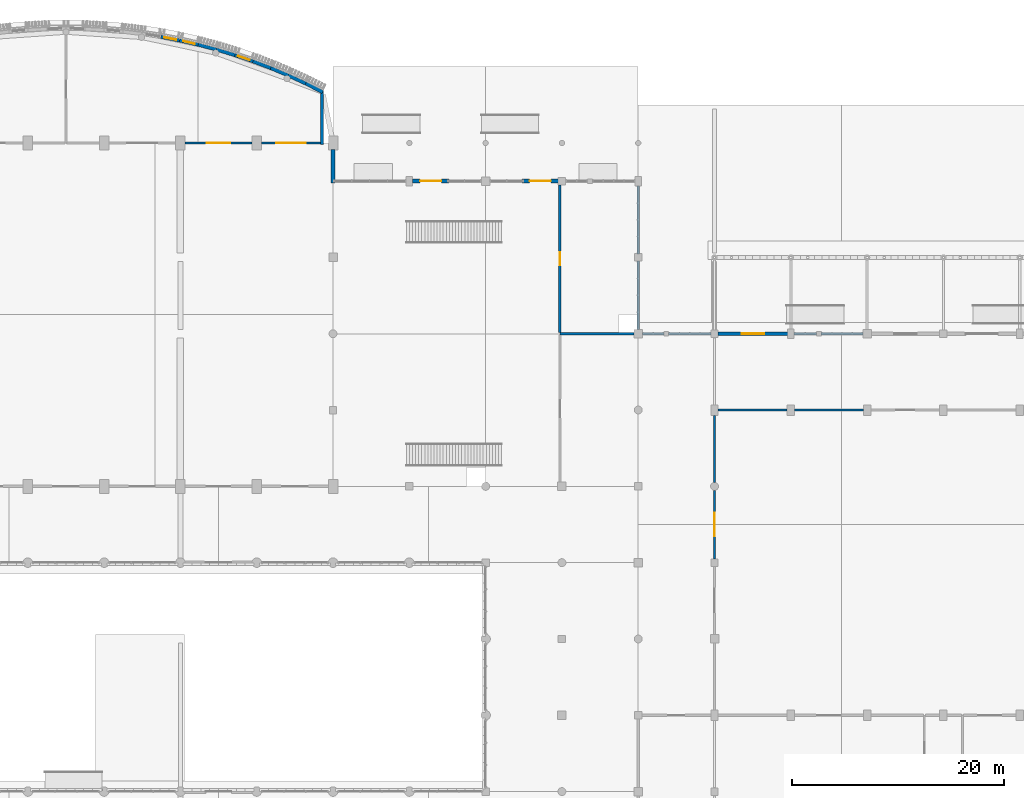
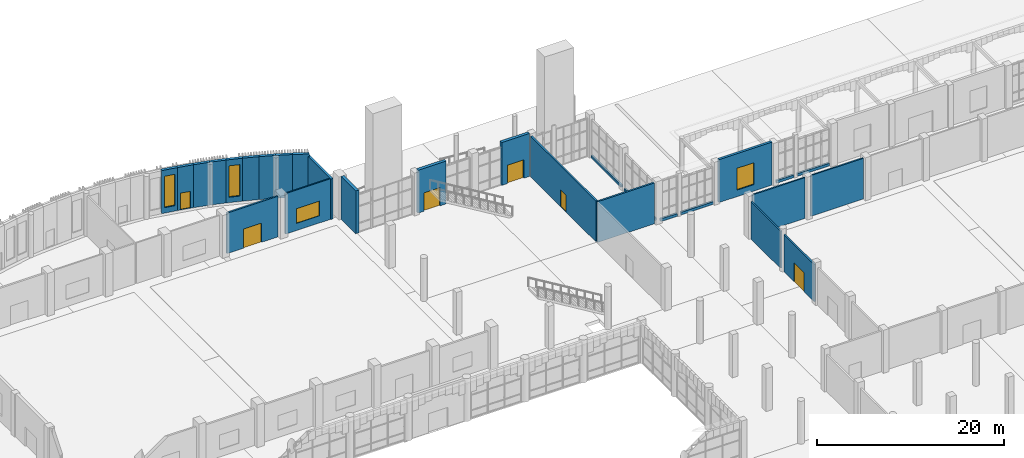
# One storey, part 62 of 85: 28 walls, 6 doors, 4 windows, 10 openings.
"""IFC4 building model written with IfcOpenShell, lengths in metres."""

from ifc_helpers import new_model, si_unit, direction, frame, frame_2d, origin, place, context, subcontext, project, spatial, polyline, rectangle, outline, extrude, material, layer, layer_set, type_object, element, fill, save


model = new_model("IFC4")

# Units and contexts
model_context = context("Model", 3, precision=1e-05, world=origin(), true_north=direction((0.0, 1.0)))
body_context = subcontext(model_context, "Body", "Model", "MODEL_VIEW")
ifc_project = project(units=[si_unit("LENGTHUNIT", "METRE"), si_unit("AREAUNIT", "SQUARE_METRE"), si_unit("VOLUMEUNIT", "CUBIC_METRE"), si_unit("PLANEANGLEUNIT", "RADIAN"), si_unit("MASSUNIT", "GRAM", prefix="KILO")], contexts=[model_context])

# Site, building, storey
site_placement = place(None, origin())
site = spatial("IfcSite", under=ifc_project, at=site_placement, CompositionType="ELEMENT")
building_placement = place(site_placement, origin())
building = spatial("IfcBuilding", under=site, at=building_placement, Name="Sardonyx Promenade Sports Hall", CompositionType="ELEMENT")
storey_placement = place(building_placement, origin())
storey = spatial("IfcBuildingStorey", under=building, at=storey_placement, Name="L00", CompositionType="ELEMENT", Elevation=0.0)

# Wall, opening, window
ifc_material_1 = material(Name="Concrete C40/50", Category="concrete")
ifc_layer_1 = layer(ifc_material_1, 0.340087890625)
ifc_layer_set_1 = layer_set([ifc_layer_1], Name="Wall_Bow_Arc_340")
wall_type_1 = type_object("IfcWallType", Name="Wall_Bow_Arc_340", PredefinedType="SOLIDWALL", material=ifc_layer_set_1)
wall_1_placement = place(storey_placement, frame((62.95556640625, 114.423095703125, 0.0), z_axis=(0.0, 0.0, 1.0), x_axis=(0.981913462005, -0.189330275271, 0.0)))
wall_1 = element("IfcWall", 1, at=wall_1_placement, inside=storey, type_object=wall_type_1, Name="Bowed promenade wall EW07 L00 CH20", PredefinedType="SOLIDWALL", context=body_context, shape_type="SweptSolid", body=[
    extrude(outline(polyline([(0.002943, -0.17), (1.797057, -0.17), (1.802942, 0.17), (-0.002943, 0.17), (0.002943, -0.17)])), origin(), (0.0, 0.0, 1.0), 5.60009765625),
])
opening_1_placement = place(wall_1_placement, frame((0.31005859375, 0.0, 0.699951171875)))
opening_1 = element("IfcOpeningElement", 2, at=opening_1_placement, cuts=wall_1, Name="Opening W09", PredefinedType="OPENING", context=body_context, shape_type="SweptSolid", body=[
    extrude(rectangle(XDim=1.179931640625, YDim=4.10009765625, at=frame_2d((0.58984375, 2.050048828125))), frame((0.0, 0.18, 0.0), z_axis=(0.0, -1.0, 0.0), x_axis=(1.0, 0.0, 0.0)), (0.0, 0.0, 1.0), 0.36),
])
ifc_material_2 = material(Name="Double-glazed solar low-E aluminium window", Category="aluminium")
window_type_1 = type_object("IfcWindowType", Name="Win_Bow_Daylight", PartitioningType="SINGLE_PANEL", PredefinedType="WINDOW", material=ifc_material_2)
window_1_placement = place(opening_1_placement, origin())
window_1 = element("IfcWindow", 3, at=window_1_placement, inside=storey, type_object=window_type_1, Name="Harbour daylight bay window W09 L00 CH20", OverallHeight=4.10009765625, OverallWidth=1.179931640625, PartitioningType="SINGLE_PANEL", PredefinedType="WINDOW", context=body_context, shape_type="SweptSolid", body=[
    extrude(rectangle(XDim=1.179931640625, YDim=4.10009765625, at=frame_2d((0.58984375, 2.050048828125))), frame((0.0, 0.030029296875, 0.0), z_axis=(0.0, -1.0, 0.0), x_axis=(1.0, 0.0, 0.0)), (0.0, 0.0, 1.0), 0.06005859375),
])
fill(opening_1, window_1)

# Wall, opening, door
wall_2_placement = place(storey_placement, frame((64.72314453125, 114.082275390625, 0.0), z_axis=(0.0, 0.0, 1.0), x_axis=(0.974791962114, -0.223115733641, 0.0)))
wall_2 = element("IfcWall", 4, at=wall_2_placement, inside=storey, type_object=wall_type_1, Name="Bowed promenade wall EW07 L00 CH21", PredefinedType="SOLIDWALL", context=body_context, shape_type="SweptSolid", body=[
    extrude(outline(polyline([(0.002943, -0.17), (1.797057, -0.17), (1.802943, 0.17), (-0.002943, 0.17), (0.002943, -0.17)])), origin(), (0.0, 0.0, 1.0), 5.60009765625),
])
opening_2_placement = place(wall_2_placement, frame((0.35009765625, 0.0, 0.0)))
opening_2 = element("IfcOpeningElement", 5, at=opening_2_placement, cuts=wall_2, Name="Opening ED11", PredefinedType="OPENING", context=body_context, shape_type="SweptSolid", body=[
    extrude(rectangle(XDim=1.10009765625, YDim=2.199951171875, at=frame_2d((0.550048828125, 1.10009765625))), frame((0.0, 0.18, 0.0), z_axis=(0.0, -1.0, 0.0), x_axis=(1.0, 0.0, 0.0)), (0.0, 0.0, 1.0), 0.36),
])
ifc_material_3 = material(Name="Thermally broken anodised aluminium glazed door", Category="aluminium")
door_type_1 = type_object("IfcDoorType", Name="Door_Ext_Single_110x220", OperationType="NOTDEFINED", PredefinedType="DOOR", material=ifc_material_3)
door_1_placement = place(opening_2_placement, origin())
door_1 = element("IfcDoor", 6, at=door_1_placement, inside=storey, type_object=door_type_1, Name="Harbour promenade exit door E02B", OperationType="SINGLE_SWING_RIGHT", OverallHeight=2.199951171875, OverallWidth=1.10009765625, PredefinedType="DOOR", context=body_context, shape_type="SweptSolid", body=[
    extrude(rectangle(XDim=1.10009765625, YDim=2.199951171875, at=frame_2d((0.550048828125, 1.10009765625))), frame((0.0, 0.02490234375, 0.0), z_axis=(0.0, -1.0, 0.0), x_axis=(1.0, 0.0, 0.0)), (0.0, 0.0, 1.0), 0.050048828125),
])
fill(opening_2, door_1)

# Walls
wall_3_placement = place(storey_placement, frame((66.477783203125, 113.6806640625, 0.0), z_axis=(0.0, 0.0, 1.0), x_axis=(0.966504582235, -0.256649357135, 0.0)))
element("IfcWall", 7, at=wall_3_placement, inside=storey, type_object=wall_type_1, Name="Bowed promenade wall EW07 L00 CH22", PredefinedType="SOLIDWALL", context=body_context, shape_type="SweptSolid", body=[
    extrude(outline(polyline([(0.002943, -0.17), (1.797058, -0.17), (1.802943, 0.17), (-0.002943, 0.17), (0.002943, -0.17)])), origin(), (0.0, 0.0, 1.0), 5.60009765625),
])
wall_4_placement = place(storey_placement, frame((68.21728515625, 113.21875, 0.0), z_axis=(0.0, 0.0, 1.0), x_axis=(0.956993600338, -0.290109029354, 0.0)))
element("IfcWall", 8, at=wall_4_placement, inside=storey, type_object=wall_type_1, Name="Bowed promenade wall EW07 L00 CH23", PredefinedType="SOLIDWALL", context=body_context, shape_type="SweptSolid", body=[
    extrude(outline(polyline([(0.002943, -0.17), (1.797057, -0.17), (1.802942, 0.17), (-0.002943, 0.17), (0.002943, -0.17)])), origin(), (0.0, 0.0, 1.0), 5.60009765625),
])

# Wall, opening, window
wall_5_placement = place(storey_placement, frame((69.93994140625, 112.696533203125, 0.0), z_axis=(0.0, 0.0, 1.0), x_axis=(0.946421657721, -0.322933500578, 0.0)))
wall_5 = element("IfcWall", 9, at=wall_5_placement, inside=storey, type_object=wall_type_1, Name="Bowed promenade wall EW07 L00 CH24", PredefinedType="SOLIDWALL", context=body_context, shape_type="SweptSolid", body=[
    extrude(outline(polyline([(0.002943, -0.17), (1.797057, -0.17), (1.802942, 0.17), (-0.002943, 0.17), (0.002943, -0.17)])), origin(), (0.0, 0.0, 1.0), 5.60009765625),
])
opening_3_placement = place(wall_5_placement, frame((0.31005859375, 0.0, 0.699951171875)))
opening_3 = element("IfcOpeningElement", 10, at=opening_3_placement, cuts=wall_5, Name="Opening W09", PredefinedType="OPENING", context=body_context, shape_type="SweptSolid", body=[
    extrude(rectangle(XDim=1.179931640625, YDim=4.10009765625, at=frame_2d((0.58984375, 2.050048828125))), frame((0.0, 0.18, 0.0), z_axis=(0.0, -1.0, 0.0), x_axis=(1.0, 0.0, 0.0)), (0.0, 0.0, 1.0), 0.36),
])
window_2_placement = place(opening_3_placement, origin())
window_2 = element("IfcWindow", 11, at=window_2_placement, inside=storey, type_object=window_type_1, Name="Harbour daylight bay window W09 L00 CH24", OverallHeight=4.10009765625, OverallWidth=1.179931640625, PartitioningType="SINGLE_PANEL", PredefinedType="WINDOW", context=body_context, shape_type="SweptSolid", body=[
    extrude(rectangle(XDim=1.179931640625, YDim=4.10009765625, at=frame_2d((0.58984375, 2.050048828125))), frame((0.0, 0.030029296875, 0.0), z_axis=(0.0, -1.0, 0.0), x_axis=(1.0, 0.0, 0.0)), (0.0, 0.0, 1.0), 0.06005859375),
])
fill(opening_3, window_2)

# Walls
wall_6_placement = place(storey_placement, frame((71.6435546875, 112.115234375, 0.0), z_axis=(0.0, 0.0, 1.0), x_axis=(0.934674543416, -0.35550456803, 0.0)))
element("IfcWall", 12, at=wall_6_placement, inside=storey, type_object=wall_type_1, Name="Bowed promenade wall EW07 L00 CH25", PredefinedType="SOLIDWALL", context=body_context, shape_type="SweptSolid", body=[
    extrude(outline(polyline([(0.002943, -0.17), (1.797057, -0.17), (1.802943, 0.17), (-0.002943, 0.17), (0.002943, -0.17)])), origin(), (0.0, 0.0, 1.0), 5.60009765625),
])
wall_7_placement = place(storey_placement, frame((73.325927734375, 111.475341796875, 0.0), z_axis=(0.0, 0.0, 1.0), x_axis=(0.921803799964, -0.387656748131, 0.0)))
element("IfcWall", 13, at=wall_7_placement, inside=storey, type_object=wall_type_1, Name="Bowed promenade wall EW07 L00 CH26", PredefinedType="SOLIDWALL", context=body_context, shape_type="SweptSolid", body=[
    extrude(outline(polyline([(0.002943, -0.17), (1.797058, -0.17), (1.802943, 0.17), (-0.002943, 0.17), (0.002943, -0.17)])), origin(), (0.0, 0.0, 1.0), 5.60009765625),
])
for number, where, z_axis, x_axis, name in (
    (14, (74.985107421875, 110.777587890625, 0.0), (0.0, 0.0, 1.0), (0.907808472517, -0.419384998808, 0.0), "Bowed promenade wall EW07 L00 CH27"),
    (15, (76.619140625, 110.022705078125, 0.0), (0.0, 0.0, 1.0), (0.892821085875, -0.450411488104, 0.0), "Bowed promenade wall EW07 L00 CH28"),
):
    element("IfcWall", number, at=place(storey_placement, frame(where, z_axis=z_axis, x_axis=x_axis)), inside=storey, type_object=wall_type_1, Name=name, PredefinedType="SOLIDWALL", context=body_context, shape_type="SweptSolid", body=[
        extrude(outline(polyline([(0.002943, -0.17), (1.797057, -0.17), (1.802943, 0.17), (-0.002943, 0.17), (0.002943, -0.17)])), origin(), (0.0, 0.0, 1.0), 5.60009765625),
    ])

# Wall, opening, window
ifc_material_4 = material(Name="Concrete C40/50", Category="concrete")
ifc_layer_2 = layer(ifc_material_4, 0.300048828125)
ifc_layer_set_2 = layer_set([ifc_layer_2], Name="Wall_Ext_Hall_300")
wall_type_2 = type_object("IfcWallType", Name="Wall_Ext_Hall_300", PredefinedType="SOLIDWALL", material=ifc_layer_set_2)
wall_8_placement = place(storey_placement, frame((115.534912109375, 86.39990234375, 0.0), z_axis=(0.0, 0.0, 1.0), x_axis=(1.0, 0.0, 0.0)))
wall_8 = element("IfcWall", 16, at=wall_8_placement, inside=storey, type_object=wall_type_2, Name="Exterior wall EW04 L00 #185", PredefinedType="SOLIDWALL", context=body_context, shape_type="SweptSolid", body=[
    extrude(rectangle(XDim=6.580078125, YDim=0.300048828125, at=frame_2d((3.2900390625, 0.0))), origin(), (0.0, 0.0, 1.0), 5.60009765625),
])
opening_4_placement = place(wall_8_placement, frame((2.239990234375, 0.0, 0.85009765625)))
opening_4 = element("IfcOpeningElement", 17, at=opening_4_placement, cuts=wall_8, Name="Opening W15", PredefinedType="OPENING", context=body_context, shape_type="SweptSolid", body=[
    extrude(rectangle(XDim=2.10009765625, YDim=2.85009765625, at=frame_2d((1.050048828125, 1.425048828125))), frame((0.0, 0.16, 0.0), z_axis=(0.0, -1.0, 0.0), x_axis=(1.0, 0.0, 0.0)), (0.0, 0.0, 1.0), 0.32),
])
ifc_material_5 = material(Name="Double-glazed solar low-E aluminium window", Category="aluminium")
window_type_2 = type_object("IfcWindowType", Name="Win_Sandstone_ArchB", PartitioningType="DOUBLE_PANEL_VERTICAL", PredefinedType="WINDOW", material=ifc_material_5)
window_3_placement = place(opening_4_placement, origin())
window_3 = element("IfcWindow", 18, at=window_3_placement, inside=storey, type_object=window_type_2, Name="Facade window W15 L00 #72", OverallHeight=2.85009765625, OverallWidth=2.10009765625, PartitioningType="SINGLE_PANEL", PredefinedType="WINDOW", context=body_context, shape_type="SweptSolid", body=[
    extrude(rectangle(XDim=2.10009765625, YDim=2.85009765625, at=frame_2d((1.050048828125, 1.425048828125))), frame((0.0, 0.030029296875, 0.0), z_axis=(0.0, -1.0, 0.0), x_axis=(1.0, 0.0, 0.0)), (0.0, 0.0, 1.0), 0.06005859375),
])
fill(opening_4, window_3)

# Wall
ifc_material_6 = material(Name="Concrete C40/50", Category="concrete")
ifc_layer_3 = layer(ifc_material_6, 0.360107421875)
ifc_layer_set_3 = layer_set([ifc_layer_3], Name="Wall_Ext_Sandstone_360")
wall_type_3 = type_object("IfcWallType", Name="Wall_Ext_Sandstone_360", PredefinedType="SOLIDWALL", material=ifc_layer_set_3)
wall_9_placement = place(storey_placement, frame((79.199951171875, 103.764892578125, 0.0), z_axis=(0.0, 0.0, 1.0), x_axis=(0.0, -1.0, 0.0)))
element("IfcWall", 19, at=wall_9_placement, inside=storey, type_object=wall_type_3, Name="Exterior wall EW06 L00 #175", PredefinedType="SOLIDWALL", context=body_context, shape_type="SweptSolid", body=[
    extrude(rectangle(XDim=3.144775390625, YDim=0.360107421875, at=frame_2d((1.572265625, 0.0))), origin(), (0.0, 0.0, 1.0), 5.60009765625),
])

# Wall, opening, door
wall_10_placement = place(storey_placement, frame((86.68505859375, 100.800048828125, 0.0), z_axis=(0.0, 0.0, 1.0), x_axis=(1.0, 0.0, 0.0)))
wall_10 = element("IfcWall", 20, at=wall_10_placement, inside=storey, type_object=wall_type_3, Name="Exterior wall EW06 L00 #176", PredefinedType="SOLIDWALL", context=body_context, shape_type="SweptSolid", body=[
    extrude(rectangle(XDim=3.474853515625, YDim=0.360107421875, at=frame_2d((1.7373046875, 0.0))), origin(), (0.0, 0.0, 1.0), 5.60009765625),
])
opening_5_placement = place(wall_10_placement, frame((0.737548828125, 0.0, 0.0)))
opening_5 = element("IfcOpeningElement", 21, at=opening_5_placement, cuts=wall_10, Name="Opening ED12", PredefinedType="OPENING", context=body_context, shape_type="SweptSolid", body=[
    extrude(rectangle(XDim=2.0, YDim=2.39990234375, at=frame_2d((1.0, 1.199951171875))), frame((0.0, 0.19, 0.0), z_axis=(0.0, -1.0, 0.0), x_axis=(1.0, 0.0, 0.0)), (0.0, 0.0, 1.0), 0.38),
])
ifc_material_7 = material(Name="Thermally broken anodised aluminium glazed door", Category="aluminium")
door_type_2 = type_object("IfcDoorType", Name="Door_Ext_Garden_200x240", OperationType="NOTDEFINED", PredefinedType="DOOR", material=ifc_material_7)
door_2_placement = place(opening_5_placement, origin())
door_2 = element("IfcDoor", 22, at=door_2_placement, inside=storey, type_object=door_type_2, Name="Exterior exit door E14", OperationType="DOUBLE_DOOR_SINGLE_SWING", OverallHeight=2.39990234375, OverallWidth=2.0, PredefinedType="DOOR", context=body_context, shape_type="SweptSolid", body=[
    extrude(rectangle(XDim=2.0, YDim=2.39990234375, at=frame_2d((1.0, 1.199951171875))), frame((0.0, 0.02490234375, 0.0), z_axis=(0.0, -1.0, 0.0), x_axis=(1.0, 0.0, 0.0)), (0.0, 0.0, 1.0), 0.050048828125),
])
fill(opening_5, door_2)

wall_11_placement = place(storey_placement, frame((97.0400390625, 100.800048828125, 0.0), z_axis=(0.0, 0.0, 1.0), x_axis=(1.0, 0.0, 0.0)))
wall_11 = element("IfcWall", 23, at=wall_11_placement, inside=storey, type_object=wall_type_3, Name="Exterior wall EW06 L00 #177", PredefinedType="SOLIDWALL", context=body_context, shape_type="SweptSolid", body=[
    extrude(rectangle(XDim=3.425048828125, YDim=0.360107421875, at=frame_2d((1.71240234375, 0.0))), origin(), (0.0, 0.0, 1.0), 5.60009765625),
])
opening_6_placement = place(wall_11_placement, frame((0.71240234375, 0.0, 0.0)))
opening_6 = element("IfcOpeningElement", 24, at=opening_6_placement, cuts=wall_11, Name="Opening ED12", PredefinedType="OPENING", context=body_context, shape_type="SweptSolid", body=[
    extrude(rectangle(XDim=2.0, YDim=2.39990234375, at=frame_2d((1.0, 1.199951171875))), frame((0.0, 0.19, 0.0), z_axis=(0.0, -1.0, 0.0), x_axis=(1.0, 0.0, 0.0)), (0.0, 0.0, 1.0), 0.38),
])
door_3_placement = place(opening_6_placement, origin())
door_3 = element("IfcDoor", 25, at=door_3_placement, inside=storey, type_object=door_type_2, Name="Exterior exit door E15", OperationType="DOUBLE_DOOR_SINGLE_SWING", OverallHeight=2.39990234375, OverallWidth=2.0, PredefinedType="DOOR", context=body_context, shape_type="SweptSolid", body=[
    extrude(rectangle(XDim=2.0, YDim=2.39990234375, at=frame_2d((1.0, 1.199951171875))), frame((0.0, 0.02490234375, 0.0), z_axis=(0.0, -1.0, 0.0), x_axis=(1.0, 0.0, 0.0)), (0.0, 0.0, 1.0), 0.050048828125),
])
fill(opening_6, door_3)

# Walls
ifc_material_8 = material(Name="Masonry CMU 15 MPa", Category="masonry")
ifc_layer_4 = layer(ifc_material_8, 0.239990234375)
ifc_layer_set_4 = layer_set([ifc_layer_4], Name="Wall_Ext_Spandrel_240")
wall_type_4 = type_object("IfcWallType", Name="Wall_Ext_Spandrel_240", PredefinedType="SOLIDWALL", material=ifc_layer_set_4)
wall_12_placement = place(storey_placement, frame((108.0, 100.364990234375, 0.0), z_axis=(0.0, 0.0, 1.0), x_axis=(0.0, -1.0, 0.0)))
element("IfcWall", 26, at=wall_12_placement, inside=storey, type_object=wall_type_4, Name="Curtain-wall sill spandrel L00 #179", PredefinedType="SOLIDWALL", context=body_context, shape_type="SweptSolid", body=[
    extrude(rectangle(XDim=6.429931640625, YDim=0.239990234375, at=frame_2d((3.21484375, 0.0))), origin(), (0.0, 0.0, 1.0), 0.300048828125),
])
wall_13_placement = place(storey_placement, frame((108.0, 93.264892578125, 0.0), z_axis=(0.0, 0.0, 1.0), x_axis=(0.0, -1.0, 0.0)))
element("IfcWall", 27, at=wall_13_placement, inside=storey, type_object=wall_type_4, Name="Curtain-wall sill spandrel L00 #180", PredefinedType="SOLIDWALL", context=body_context, shape_type="SweptSolid", body=[
    extrude(rectangle(XDim=6.47998046875, YDim=0.239990234375, at=frame_2d((3.239990234375, 0.0))), origin(), (0.0, 0.0, 1.0), 0.300048828125),
])
wall_14_placement = place(storey_placement, frame((108.385009765625, 86.39990234375, 0.0), z_axis=(0.0, 0.0, 1.0), x_axis=(1.0, 0.0, 0.0)))
element("IfcWall", 28, at=wall_14_placement, inside=storey, type_object=wall_type_4, Name="Curtain-wall sill spandrel L00 #183", PredefinedType="SOLIDWALL", context=body_context, shape_type="SweptSolid", body=[
    extrude(rectangle(XDim=2.054931640625, YDim=0.239990234375, at=frame_2d((1.02734375, 0.0))), origin(), (0.0, 0.0, 1.0), 0.35009765625),
])
wall_15_placement = place(storey_placement, frame((110.860107421875, 86.39990234375, 0.0), z_axis=(0.0, 0.0, 1.0), x_axis=(1.0, 0.0, 0.0)))
element("IfcWall", 29, at=wall_15_placement, inside=storey, type_object=wall_type_4, Name="Curtain-wall sill spandrel L00 #184", PredefinedType="SOLIDWALL", context=body_context, shape_type="SweptSolid", body=[
    extrude(rectangle(XDim=4.0048828125, YDim=0.239990234375, at=frame_2d((2.00244140625, 0.0))), origin(), (0.0, 0.0, 1.0), 0.35009765625),
])
wall_16_placement = place(storey_placement, frame((122.68505859375, 86.39990234375, 0.0), z_axis=(0.0, 0.0, 1.0), x_axis=(1.0, 0.0, 0.0)))
element("IfcWall", 30, at=wall_16_placement, inside=storey, type_object=wall_type_4, Name="Curtain-wall sill spandrel L00 #186", PredefinedType="SOLIDWALL", context=body_context, shape_type="SweptSolid", body=[
    extrude(rectangle(XDim=2.155029296875, YDim=0.239990234375, at=frame_2d((1.07763671875, 0.0))), origin(), (0.0, 0.0, 1.0), 0.35009765625),
])
wall_17_placement = place(storey_placement, frame((125.260009765625, 86.39990234375, 0.0), z_axis=(0.0, 0.0, 1.0), x_axis=(1.0, 0.0, 0.0)))
element("IfcWall", 31, at=wall_17_placement, inside=storey, type_object=wall_type_4, Name="Curtain-wall sill spandrel L00 #187", PredefinedType="SOLIDWALL", context=body_context, shape_type="SweptSolid", body=[
    extrude(rectangle(XDim=3.955078125, YDim=0.239990234375, at=frame_2d((1.9775390625, 0.0))), origin(), (0.0, 0.0, 1.0), 0.35009765625),
])
ifc_material_9 = material(Name="Concrete C40/50", Category="concrete")
ifc_layer_5 = layer(ifc_material_9, 0.280029296875)
ifc_layer_set_5 = layer_set([ifc_layer_5], Name="Wall_Ext_Wing_280")
wall_type_5 = type_object("IfcWallType", Name="Wall_Ext_Wing_280", PredefinedType="SOLIDWALL", material=ifc_layer_set_5)
wall_18_placement = place(storey_placement, frame((78.17626953125, 109.291748046875, 0.0), z_axis=(0.0, 0.0, 1.0), x_axis=(0.0, -1.0, 0.0)))
element("IfcWall", 32, at=wall_18_placement, inside=storey, type_object=wall_type_5, Name="Bowed gallery east return wall L00", PredefinedType="SOLIDWALL", context=body_context, shape_type="SweptSolid", body=[
    extrude(rectangle(XDim=5.041748046875, YDim=0.280029296875, at=frame_2d((2.52099609375, 0.0))), origin(), (0.0, 0.0, 1.0), 5.2900390625),
])

# Wall, opening, window
ifc_material_10 = material(Name="Twin-stud acoustic gypsum partition", Category="gypsum")
ifc_layer_6 = layer(ifc_material_10, 0.169921875)
ifc_layer_set_6 = layer_set([ifc_layer_6], Name="Wall_Part_Acoust_170")
wall_type_6 = type_object("IfcWallType", Name="Wall_Part_Acoust_170", PredefinedType="PARTITIONING", material=ifc_layer_set_6)
wall_19_placement = place(storey_placement, frame((72.449951171875, 104.39990234375, 0.0), z_axis=(0.0, 0.0, 1.0), x_axis=(1.0, 0.0, 0.0)))
wall_19 = element("IfcWall", 33, at=wall_19_placement, inside=storey, type_object=wall_type_6, Name="Interior partition PW06 L00 #376", PredefinedType="PARTITIONING", context=body_context, shape_type="SweptSolid", body=[
    extrude(rectangle(XDim=5.576416015625, YDim=0.169921875, at=frame_2d((2.7880859375, 0.0))), origin(), (0.0, 0.0, 1.0), 5.2900390625),
])
opening_7_placement = place(wall_19_placement, frame((1.38818359375, 0.0, 0.949951171875)))
opening_7 = element("IfcOpeningElement", 34, at=opening_7_placement, cuts=wall_19, Name="Opening IW06", PredefinedType="OPENING", context=body_context, shape_type="SweptSolid", body=[
    extrude(rectangle(XDim=2.800048828125, YDim=1.89990234375, at=frame_2d((1.39990234375, 0.949951171875))), frame((0.0, 0.095, 0.0), z_axis=(0.0, -1.0, 0.0), x_axis=(1.0, 0.0, 0.0)), (0.0, 0.0, 1.0), 0.19),
])
ifc_material_11 = material(Name="Acoustic laminated sports viewing glazing EI 60", Category="glass")
window_type_3 = type_object("IfcWindowType", Name="IWin_Arena_280x190", PartitioningType="DOUBLE_PANEL_VERTICAL", PredefinedType="WINDOW", material=ifc_material_11)
window_4_placement = place(opening_7_placement, origin())
window_4 = element("IfcWindow", 35, at=window_4_placement, inside=storey, type_object=window_type_3, Name="Internal viewing window IW06 L00 #13", OverallHeight=1.89990234375, OverallWidth=2.800048828125, PartitioningType="SINGLE_PANEL", PredefinedType="WINDOW", context=body_context, shape_type="SweptSolid", body=[
    extrude(rectangle(XDim=2.800048828125, YDim=1.89990234375, at=frame_2d((1.39990234375, 0.949951171875))), frame((0.0, 0.030029296875, 0.0), z_axis=(0.0, -1.0, 0.0), x_axis=(1.0, 0.0, 0.0)), (0.0, 0.0, 1.0), 0.06005859375),
])
fill(opening_7, window_4)

# Walls
for number, where, z_axis, x_axis, name in (
    (36, (115.550048828125, 79.199951171875, 0.0), (0.0, 0.0, 1.0), (1.0, 0.0, 0.0), "Interior partition PW06 L00 #448"),
    (37, (122.75, 79.199951171875, 0.0), (0.0, 0.0, 1.0), (1.0, 0.0, 0.0), "Interior partition PW06 L00 #450"),
):
    element("IfcWall", number, at=place(storey_placement, frame(where, z_axis=z_axis, x_axis=x_axis)), inside=storey, type_object=wall_type_6, Name=name, PredefinedType="PARTITIONING", context=body_context, shape_type="SweptSolid", body=[
        extrude(rectangle(XDim=6.5, YDim=0.169921875, at=frame_2d((3.25, 0.0))), origin(), (0.0, 0.0, 1.0), 5.320068359375),
    ])

# Wall, opening, door
ifc_material_12 = material(Name="Masonry CMU 15 MPa", Category="masonry")
ifc_layer_7 = layer(ifc_material_12, 0.18994140625)
ifc_layer_set_7 = layer_set([ifc_layer_7], Name="Wall_Part_Block_190")
wall_type_7 = type_object("IfcWallType", Name="Wall_Part_Block_190", PredefinedType="PARTITIONING", material=ifc_layer_set_7)
wall_20_placement = place(storey_placement, frame((115.199951171875, 65.14990234375, 0.0), z_axis=(0.0, 0.0, 1.0), x_axis=(0.0, 1.0, 0.0)))
wall_20 = element("IfcWall", 38, at=wall_20_placement, inside=storey, type_object=wall_type_7, Name="Interior partition PW03 L00 #443", PredefinedType="PARTITIONING", context=body_context, shape_type="SweptSolid", body=[
    extrude(rectangle(XDim=6.47509765625, YDim=0.18994140625, at=frame_2d((3.237548828125, 0.0))), origin(), (0.0, 0.0, 1.0), 4.860107421875),
])
opening_8_placement = place(wall_20_placement, frame((2.137451171875, 0.0, 0.0)))
opening_8 = element("IfcOpeningElement", 39, at=opening_8_placement, cuts=wall_20, Name="Opening ID04", PredefinedType="OPENING", context=body_context, shape_type="SweptSolid", body=[
    extrude(rectangle(XDim=2.199951171875, YDim=2.5, at=frame_2d((1.10009765625, 1.25))), frame((0.0, 0.105, 0.0), z_axis=(0.0, -1.0, 0.0), x_axis=(1.0, 0.0, 0.0)), (0.0, 0.0, 1.0), 0.21),
])
ifc_material_13 = material(Name="Double acoustic sports hall fire door FD60S", Category="wood")
door_type_3 = type_object("IfcDoorType", Name="Door_Hall_FD60_220x250", OperationType="NOTDEFINED", PredefinedType="DOOR", material=ifc_material_13)
door_4_placement = place(opening_8_placement, origin())
door_4 = element("IfcDoor", 40, at=door_4_placement, inside=storey, type_object=door_type_3, Name="Interior door D00-141", OperationType="DOUBLE_DOOR_SINGLE_SWING", OverallHeight=2.5, OverallWidth=2.199951171875, PredefinedType="DOOR", context=body_context, shape_type="SweptSolid", body=[
    extrude(rectangle(XDim=2.199951171875, YDim=2.5, at=frame_2d((1.10009765625, 1.25))), frame((0.0, 0.02490234375, 0.0), z_axis=(0.0, -1.0, 0.0), x_axis=(1.0, 0.0, 0.0)), (0.0, 0.0, 1.0), 0.050048828125),
])
fill(opening_8, door_4)

# Walls
wall_21_placement = place(storey_placement, frame((115.199951171875, 72.375, 0.0), z_axis=(0.0, 0.0, 1.0), x_axis=(0.0, 1.0, 0.0)))
element("IfcWall", 41, at=wall_21_placement, inside=storey, type_object=wall_type_7, Name="Interior partition PW03 L00 #445", PredefinedType="PARTITIONING", context=body_context, shape_type="SweptSolid", body=[
    extrude(rectangle(XDim=6.324951171875, YDim=0.18994140625, at=frame_2d((3.16259765625, 0.0))), origin(), (0.0, 0.0, 1.0), 4.860107421875),
])
ifc_material_14 = material(Name="Masonry CMU 15 MPa", Category="masonry")
ifc_layer_8 = layer(ifc_material_14, 0.2099609375)
ifc_layer_set_8 = layer_set([ifc_layer_8], Name="Wall_Part_Block_210")
wall_type_8 = type_object("IfcWallType", Name="Wall_Part_Block_210", PredefinedType="PARTITIONING", material=ifc_layer_set_8)
wall_22_placement = place(storey_placement, frame((100.60009765625, 86.39990234375, 0.0), z_axis=(0.0, 0.0, 1.0), x_axis=(1.0, 0.0, 0.0)))
element("IfcWall", 42, at=wall_22_placement, inside=storey, type_object=wall_type_8, Name="Interior partition PW07 L00 #361", PredefinedType="PARTITIONING", context=body_context, shape_type="SweptSolid", body=[
    extrude(rectangle(XDim=7.0, YDim=0.2099609375, at=frame_2d((3.5, 0.0))), origin(), (0.0, 0.0, 1.0), 5.320068359375),
])

# Wall, opening, door
wall_23_placement = place(storey_placement, frame((100.60009765625, 86.514892578125, 0.0), z_axis=(0.0, 0.0, 1.0), x_axis=(0.0, 1.0, 0.0)))
wall_23 = element("IfcWall", 43, at=wall_23_placement, inside=storey, type_object=wall_type_8, Name="Interior partition PW07 L00 #363", PredefinedType="PARTITIONING", context=body_context, shape_type="SweptSolid", body=[
    extrude(rectangle(XDim=13.93505859375, YDim=0.2099609375, at=frame_2d((6.967529296875, 0.0))), origin(), (0.0, 0.0, 1.0), 5.320068359375),
])
opening_9_placement = place(wall_23_placement, frame((6.342529296875, 0.0, 0.0)))
opening_9 = element("IfcOpeningElement", 44, at=opening_9_placement, cuts=wall_23, Name="Opening ID13", PredefinedType="OPENING", context=body_context, shape_type="SweptSolid", body=[
    extrude(rectangle(XDim=1.25, YDim=2.199951171875, at=frame_2d((0.625, 1.10009765625))), frame((0.0, 0.115, 0.0), z_axis=(0.0, -1.0, 0.0), x_axis=(1.0, 0.0, 0.0)), (0.0, 0.0, 1.0), 0.23),
])
ifc_material_15 = material(Name="Solid-core hardwood fire door FD60S", Category="wood")
door_type_4 = type_object("IfcDoorType", Name="Door_Stair_FD60_125x220", OperationType="NOTDEFINED", PredefinedType="DOOR", material=ifc_material_15)
door_5_placement = place(opening_9_placement, origin())
door_5 = element("IfcDoor", 45, at=door_5_placement, inside=storey, type_object=door_type_4, Name="Interior door D00-118", OperationType="SINGLE_SWING_RIGHT", OverallHeight=2.199951171875, OverallWidth=1.25, PredefinedType="DOOR", context=body_context, shape_type="SweptSolid", body=[
    extrude(rectangle(XDim=1.25, YDim=2.199951171875, at=frame_2d((0.625, 1.10009765625))), frame((0.0, 0.02490234375, 0.0), z_axis=(0.0, -1.0, 0.0), x_axis=(1.0, 0.0, 0.0)), (0.0, 0.0, 1.0), 0.050048828125),
])
fill(opening_9, door_5)

wall_24_placement = place(storey_placement, frame((65.25, 104.39990234375, 0.0), z_axis=(0.0, 0.0, 1.0), x_axis=(1.0, 0.0, 0.0)))
wall_24 = element("IfcWall", 46, at=wall_24_placement, inside=storey, type_object=wall_type_8, Name="Interior partition PW07 L00 #375", PredefinedType="PARTITIONING", context=body_context, shape_type="SweptSolid", body=[
    extrude(rectangle(XDim=6.300048828125, YDim=0.2099609375, at=frame_2d((3.14990234375, 0.0))), origin(), (0.0, 0.0, 1.0), 5.2900390625),
])
opening_10_placement = place(wall_24_placement, frame((2.050048828125, 0.0, 0.0)))
opening_10 = element("IfcOpeningElement", 47, at=opening_10_placement, cuts=wall_24, Name="Opening ID04", PredefinedType="OPENING", context=body_context, shape_type="SweptSolid", body=[
    extrude(rectangle(XDim=2.199951171875, YDim=2.5, at=frame_2d((1.10009765625, 1.25))), frame((0.0, 0.115, 0.0), z_axis=(0.0, -1.0, 0.0), x_axis=(1.0, 0.0, 0.0)), (0.0, 0.0, 1.0), 0.23),
])
door_6_placement = place(opening_10_placement, origin())
door_6 = element("IfcDoor", 48, at=door_6_placement, inside=storey, type_object=door_type_3, Name="Interior door D00-122", OperationType="DOUBLE_DOOR_SINGLE_SWING", OverallHeight=2.5, OverallWidth=2.199951171875, PredefinedType="DOOR", context=body_context, shape_type="SweptSolid", body=[
    extrude(rectangle(XDim=2.199951171875, YDim=2.5, at=frame_2d((1.10009765625, 1.25))), frame((0.0, 0.02490234375, 0.0), z_axis=(0.0, -1.0, 0.0), x_axis=(1.0, 0.0, 0.0)), (0.0, 0.0, 1.0), 0.050048828125),
])
fill(opening_10, door_6)

save(model, "model.ifc")
